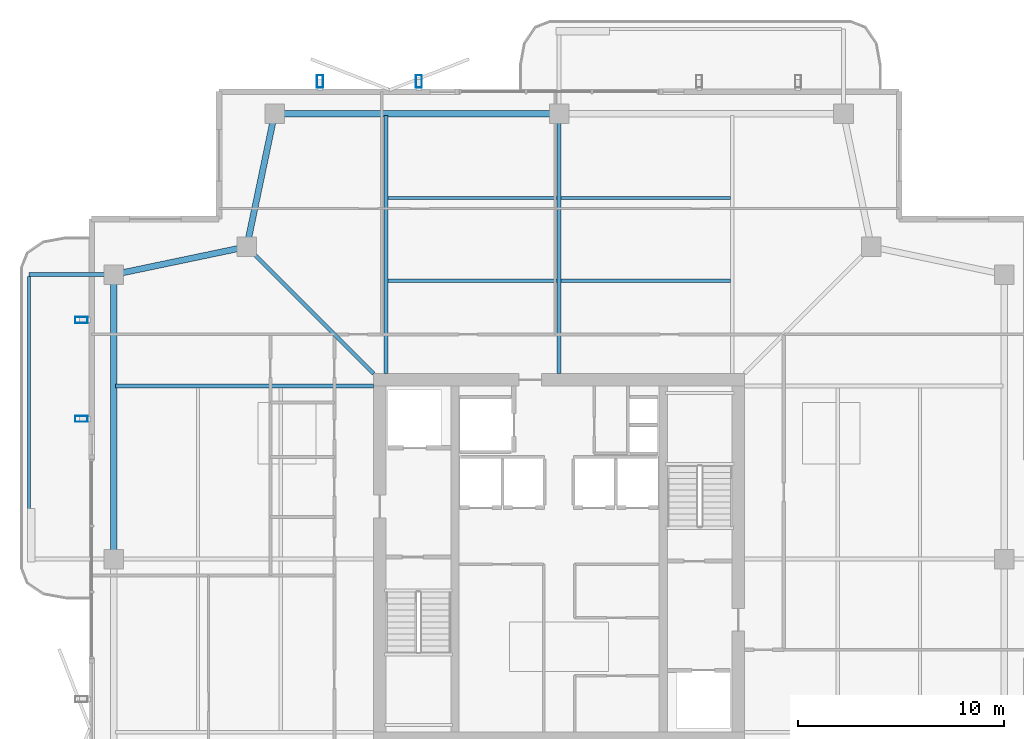
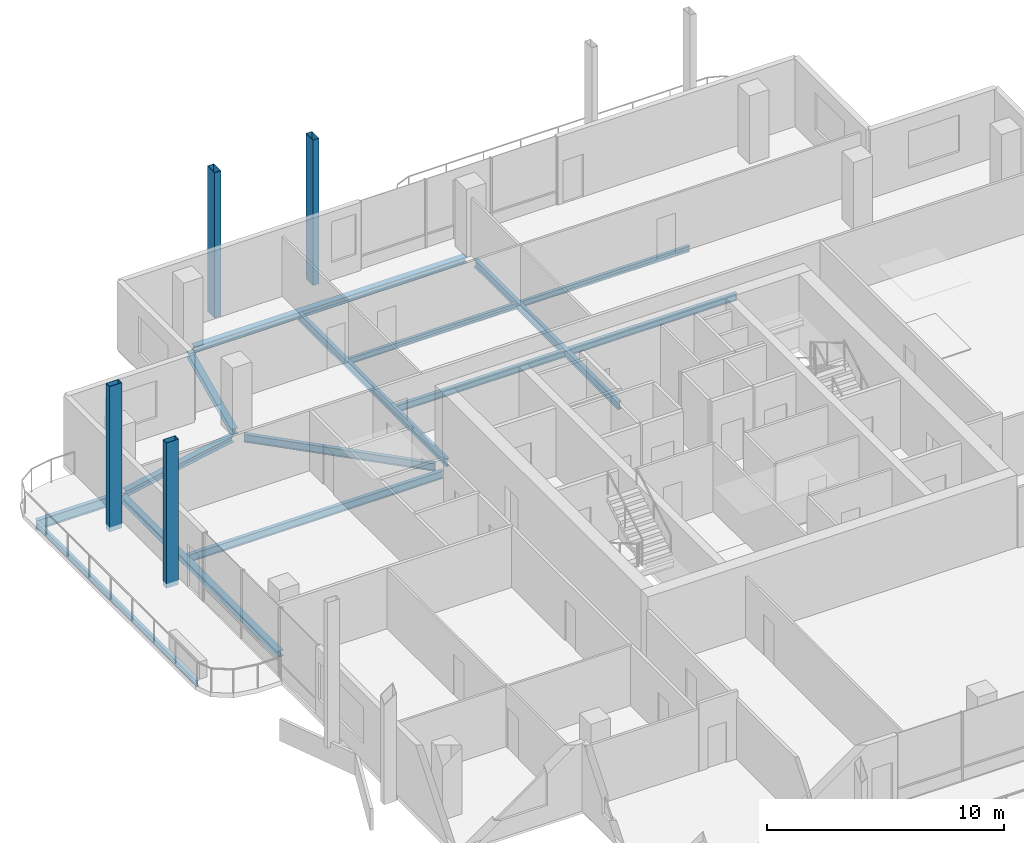
# One storey, part 10 of 20: 14 beams, 4 members.
"""IFC4 building model written with IfcOpenShell, lengths in metres."""

import ifcopenshell
import ifcopenshell.guid

model = None  # the IFC model being written
_history = None  # IfcOwnerHistory: only IFC2X3 demands one
_inside = {}  # id of a spatial element -> (the spatial element, [elements in it])
_under = {}  # id of a project, library or spatial element -> (it, [spatial elements below it])
_declared = {}  # id of a project -> (the project, [libraries it declares])
_typed = {}  # id of a type object -> (the type object, [elements of that type])
_made_of = {}  # id of a material, layer set ... -> (it, [elements and type objects made of it])


def new_model(schema):
    """Start an empty IFC model of exactly this schema.

    Asked for "IFC4X3", IfcOpenShell would pick the latest addendum, in which some entities
    have other attributes; the version numbers below select the first issue.
    IFC2X3 requires an IfcOwnerHistory on every rooted entity: one is made here for all.
    """
    global model, _history
    if schema == "IFC4X3":
        model = ifcopenshell.file(schema_version=(4, 3, 0, 0))
    else:
        model = ifcopenshell.file(schema=schema)
    _inside.clear()
    _under.clear()
    _declared.clear()
    _typed.clear()
    _made_of.clear()
    _history = None
    if model.schema == "IFC2X3":
        org = make("IfcOrganization", Name="unknown")
        user = make(
            "IfcPersonAndOrganization",
            ThePerson=make("IfcPerson", FamilyName="unknown"),
            TheOrganization=org,
        )
        app = make(
            "IfcApplication",
            ApplicationDeveloper=org,
            Version="unknown",
            ApplicationFullName="unknown",
            ApplicationIdentifier="unknown",
        )
        _history = make(
            "IfcOwnerHistory",
            OwningUser=user,
            OwningApplication=app,
            ChangeAction="ADDED",
            CreationDate=0,
        )
    return model


def make(cls, **values):
    """One entity of the class cls with the attributes given. An attribute that is None is left unset."""
    return model.create_entity(
        cls, **{name: value for name, value in values.items() if value is not None}
    )


def rooted(cls, **values):
    """An entity with a GlobalId (a new one), such as an element, a storey or a relation."""
    return make(cls, GlobalId=ifcopenshell.guid.new(), OwnerHistory=_history, **values)


def si_unit(unit_type, name, prefix=None):
    """IfcSIUnit, for example si_unit("LENGTHUNIT", "METRE", prefix="MILLI")."""
    return make("IfcSIUnit", UnitType=unit_type, Prefix=prefix, Name=name)


def assignment(units):
    """IfcUnitAssignment: the units of a project."""
    return None if units is None else make("IfcUnitAssignment", Units=units)


def point(xyz):
    """IfcCartesianPoint."""
    return None if xyz is None else make("IfcCartesianPoint", Coordinates=xyz)


def direction(xyz):
    """IfcDirection."""
    return None if xyz is None else make("IfcDirection", DirectionRatios=xyz)


def frame(location, z_axis=None, x_axis=None):
    """IfcAxis2Placement3D, a coordinate frame: its origin and axes. An axis left out is left unset."""
    return make(
        "IfcAxis2Placement3D",
        Location=point(location),
        Axis=direction(z_axis),
        RefDirection=direction(x_axis),
    )


def frame_2d(location, x_axis=None):
    """IfcAxis2Placement2D, a coordinate frame in the plane: its origin and x axis."""
    return make(
        "IfcAxis2Placement2D", Location=point(location), RefDirection=direction(x_axis)
    )


def origin():
    """The frame at (0, 0, 0) with its axes left unset."""
    return frame((0.0, 0.0, 0.0))


def origin_2d():
    """The frame at (0, 0) in the plane with its x axis left unset."""
    return frame_2d((0.0, 0.0))


def place(relative_to, where):
    """IfcLocalPlacement: puts the frame where relative to a parent placement (None: the world)."""
    return make(
        "IfcLocalPlacement", PlacementRelTo=relative_to, RelativePlacement=where
    )


def context(
    kind, dimensions, precision=None, world=None, true_north=None, identifier=None
):
    """IfcGeometricRepresentationContext, for example the 3D "Model" context."""
    return make(
        "IfcGeometricRepresentationContext",
        ContextIdentifier=identifier,
        ContextType=kind,
        CoordinateSpaceDimension=dimensions,
        Precision=precision,
        WorldCoordinateSystem=world,
        TrueNorth=true_north,
    )


def subcontext(parent, identifier, kind, view, scale=None):
    """IfcGeometricRepresentationSubContext, for example "Body" below "Model"."""
    return make(
        "IfcGeometricRepresentationSubContext",
        ContextIdentifier=identifier,
        ContextType=kind,
        ParentContext=parent,
        TargetScale=scale,
        TargetView=view,
    )


def project(units=None, contexts=None):
    """IfcProject with its units and contexts."""
    return rooted(
        "IfcProject",
        Name="project",
        RepresentationContexts=contexts,
        UnitsInContext=assignment(units),
    )


def spatial(cls, under=None, at=None, **own):
    """A site, building, storey or space (cls), placed at a placement, below another one or the project."""
    s = rooted(cls, ObjectPlacement=at, **own)
    if under is not None:
        _under.setdefault(under.id(), (under, []))[1].append(s)
    return s


def profile(cls, at=None, kind="AREA", **sizes):
    """A parametric profile (cls). Its sizes go by their IFC names, for example OverallWidth=200.0."""
    return make(cls, ProfileType=kind, Position=at, **sizes)


def hollow_rectangle(**sizes):
    """IfcRectangleHollowProfileDef."""
    return profile("IfcRectangleHollowProfileDef", **sizes)


def i_section(**sizes):
    """IfcIShapeProfileDef."""
    return profile("IfcIShapeProfileDef", **sizes)


def extrude(swept, where, along, depth):
    """IfcExtrudedAreaSolid: the profile swept, set in the frame where, extruded along a direction by depth."""
    return make(
        "IfcExtrudedAreaSolid",
        SweptArea=swept,
        Position=where,
        ExtrudedDirection=direction(along),
        Depth=depth,
    )


def shape(context_of_items, identifier, shape_type, items):
    """IfcShapeRepresentation: the items that make up one representation, for example the "Body"."""
    return make(
        "IfcShapeRepresentation",
        ContextOfItems=context_of_items,
        RepresentationIdentifier=identifier,
        RepresentationType=shape_type,
        Items=items,
    )


def material(Name=None, Category=None):
    """IfcMaterial."""
    return make("IfcMaterial", Name=Name, Category=Category)


def material_profile(
    of_material, cross_section, Name=None, Category=None, Priority=None
):
    """IfcMaterialProfile: a cross section and its material."""
    return make(
        "IfcMaterialProfile",
        Name=Name,
        Material=of_material,
        Profile=cross_section,
        Priority=Priority,
        Category=Category,
    )


def profile_set(profiles, Name=None, composite=None):
    """IfcMaterialProfileSet."""
    return make(
        "IfcMaterialProfileSet",
        Name=Name,
        MaterialProfiles=profiles,
        CompositeProfile=composite,
    )


def made_of(thing, what):
    """Note that an element or type object is made of a material, layer set ...; save() writes the relation."""
    if what is not None:
        _made_of.setdefault(what.id(), (what, []))[1].append(thing)
    return thing


def type_object(cls, material=None, **own):
    """A type object (cls), such as IfcWallType, which elements share."""
    return made_of(rooted(cls, **own), material)


def element(
    cls,
    number,
    at=None,
    inside=None,
    cuts=None,
    type_object=None,
    material=None,
    context=None,
    identifier="Body",
    shape_type=None,
    held_by="IfcProductDefinitionShape",
    body=None,
    shapes=None,
    **own,
):
    """One element of the class cls, such as IfcWall. Its Tag is "e" and its number.

    at: its placement. inside: the storey or other place that contains it. cuts: it is an
    opening in that element (IfcRelVoidsElement). A single representation is given by context,
    identifier, shape_type and body (its items); several are given by shapes. held_by: the class
    of the entity that holds the representations. save() writes the other relations.
    """
    e = rooted(cls, Tag="e%d" % number, ObjectPlacement=at, **own)
    if body is not None:
        shapes = [shape(context, identifier, shape_type, body)]
    if shapes is not None:
        e.Representation = make(held_by, Representations=shapes)
    if inside is not None:
        _inside.setdefault(inside.id(), (inside, []))[1].append(e)
    if cuts is not None:
        rooted(
            "IfcRelVoidsElement", RelatingBuildingElement=cuts, RelatedOpeningElement=e
        )
    if type_object is not None:
        _typed.setdefault(type_object.id(), (type_object, []))[1].append(e)
    return made_of(e, material)


def aggregate(whole, parts):
    """IfcRelAggregates: a whole, such as a stair, and the parts it consists of."""
    return rooted("IfcRelAggregates", RelatingObject=whole, RelatedObjects=parts)


def save(model, path):
    """Write the relations noted so far, then the file.

    IfcRelAggregates (storeys below a building ...), IfcRelContainedInSpatialStructure (elements
    in a storey), IfcRelDefinesByType, IfcRelAssociatesMaterial and IfcRelDeclares: one each for
    every whole, place, type object, material and project.
    """
    for whole, parts in _under.values():
        aggregate(whole, parts)
    for where, things in _inside.values():
        rooted(
            "IfcRelContainedInSpatialStructure",
            RelatedElements=things,
            RelatingStructure=where,
        )
    for kind, things in _typed.values():
        rooted("IfcRelDefinesByType", RelatedObjects=things, RelatingType=kind)
    for what, things in _made_of.values():
        rooted("IfcRelAssociatesMaterial", RelatedObjects=things, RelatingMaterial=what)
    for by, libraries in _declared.values():
        rooted("IfcRelDeclares", RelatingContext=by, RelatedDefinitions=libraries)
    model.write(path)


model = new_model("IFC4")

# Units and contexts
model_context = context("Model", 3, precision=1e-05, world=origin(), true_north=direction((0.0, 1.0)))
body_context = subcontext(model_context, "Body", "Model", "MODEL_VIEW")
ifc_project = project(units=[si_unit("LENGTHUNIT", "METRE"), si_unit("AREAUNIT", "SQUARE_METRE"), si_unit("VOLUMEUNIT", "CUBIC_METRE"), si_unit("PLANEANGLEUNIT", "RADIAN"), si_unit("MASSUNIT", "GRAM", prefix="KILO")], contexts=[model_context])

# Site, building, storey
site_placement = place(None, origin())
site = spatial("IfcSite", under=ifc_project, at=site_placement, CompositionType="ELEMENT")
building_placement = place(site_placement, origin())
building = spatial("IfcBuilding", under=site, at=building_placement, Name="Belovzor Exchange Tower", CompositionType="ELEMENT")
storey_placement = place(building_placement, frame((0.0, 0.0, 314.25)))
storey = spatial("IfcBuildingStorey", under=building, at=storey_placement, Name="L78", CompositionType="ELEMENT", Elevation=314.25)

# Beams
ifc_material_1 = material(Name="Steel S355", Category="steel")
ifc_material_profile_1 = material_profile(ifc_material_1, i_section(OverallWidth=0.199951171875, OverallDepth=0.5, WebThickness=0.01025390625, FlangeThickness=0.01611328125, at=origin_2d()))
ifc_profile_set_1 = profile_set([ifc_material_profile_1], Name="Steel S355")
beam_type_1 = type_object("IfcBeamType", Name="Planted Balcony Cantilever Beam IPE 500", PredefinedType="BEAM", material=ifc_profile_set_1)
beam_1_placement = place(storey_placement, frame((6.93896484375, 42.60009765625, -0.489990234375), z_axis=(-1.0, 0.0, 0.0), x_axis=(0.0, -1.0, 0.0)))
element("IfcBeam", 1, at=beam_1_placement, inside=storey, type_object=beam_type_1, Name="BC-500 Planted Balcony Cantilever Beam IPE 500", PredefinedType="BEAM", context=body_context, shape_type="SweptSolid", body=[
    extrude(i_section(OverallWidth=0.199951171875, OverallDepth=0.5, WebThickness=0.01025390625, FlangeThickness=0.01611328125, at=origin_2d()), origin(), (0.0, 0.0, 1.0), 3.849853515625),
])
ifc_material_2 = material(Name="Steel S355", Category="steel")
ifc_material_profile_2 = material_profile(ifc_material_2, i_section(OverallWidth=0.14990234375, OverallDepth=0.300048828125, WebThickness=0.007080078125, FlangeThickness=0.0107421875, at=origin_2d()))
ifc_profile_set_2 = profile_set([ifc_material_profile_2], Name="Steel S355")
beam_type_2 = type_object("IfcBeamType", Name="Planted Balcony Fascia Edge Beam IPE 300", PredefinedType="BEAM", material=ifc_profile_set_2)
beam_2_placement = place(storey_placement, frame((3.089111328125, 42.5, -0.389892578125), z_axis=(0.0, -1.0, 0.0), x_axis=(1.0, 0.0, 0.0)))
element("IfcBeam", 2, at=beam_2_placement, inside=storey, type_object=beam_type_2, Name="BC-300 Planted Balcony Fascia Edge Beam IPE 300", PredefinedType="BEAM", context=body_context, shape_type="SweptSolid", body=[
    extrude(i_section(OverallWidth=0.14990234375, OverallDepth=0.300048828125, WebThickness=0.007080078125, FlangeThickness=0.0107421875, at=origin_2d()), origin(), (0.0, 0.0, 1.0), 13.60009765625),
])
ifc_material_3 = material(Name="Steel S355", Category="steel")
ifc_material_profile_3 = material_profile(ifc_material_3, i_section(OverallWidth=0.169921875, OverallDepth=0.360107421875, WebThickness=0.008056640625, FlangeThickness=0.0126953125, at=origin_2d()))
ifc_profile_set_3 = profile_set([ifc_material_profile_3], Name="Steel S355")
beam_type_3 = type_object("IfcBeamType", Name="Secondary Infill Floor Joist IPE 360", PredefinedType="BEAM", material=ifc_profile_set_3)
beam_3_placement = place(storey_placement, frame((20.489990234375, 42.30908203125, -0.419921875), z_axis=(1.0, 0.0, 0.0), x_axis=(0.0, 1.0, 0.0)))
element("IfcBeam", 3, at=beam_3_placement, inside=storey, type_object=beam_type_3, Name="FJ-360 Secondary Infill Floor Joist IPE 360", PredefinedType="BEAM", context=body_context, shape_type="SweptSolid", body=[
    extrude(i_section(OverallWidth=0.169921875, OverallDepth=0.360107421875, WebThickness=0.008056640625, FlangeThickness=0.0126953125, at=origin_2d()), origin(), (0.0, 0.0, 1.0), 8.219970703125),
])
beam_4_placement = place(storey_placement, frame((28.889892578125, 42.30908203125, -0.419921875), z_axis=(1.0, 0.0, 0.0), x_axis=(0.0, 1.0, 0.0)))
element("IfcBeam", 4, at=beam_4_placement, inside=storey, type_object=beam_type_3, Name="FJ-360 Secondary Infill Floor Joist IPE 360", PredefinedType="BEAM", context=body_context, shape_type="SweptSolid", body=[
    extrude(i_section(OverallWidth=0.169921875, OverallDepth=0.360107421875, WebThickness=0.008056640625, FlangeThickness=0.0126953125, at=origin_2d()), origin(), (0.0, 0.0, 1.0), 8.22021484375),
])
ifc_material_4 = material(Name="Steel S355", Category="steel")
ifc_material_profile_4 = material_profile(ifc_material_4, i_section(OverallWidth=0.14990234375, OverallDepth=0.300048828125, WebThickness=0.007080078125, FlangeThickness=0.0107421875, at=origin_2d()))
ifc_profile_set_4 = profile_set([ifc_material_profile_4], Name="Steel S355")
beam_type_4 = type_object("IfcBeamType", Name="Secondary Trim Floor Joist IPE 300", PredefinedType="BEAM", material=ifc_profile_set_4)
beam_5_placement = place(storey_placement, frame((20.489990234375, 46.31689453125, -0.389892578125), z_axis=(1.0, 0.0, 0.0), x_axis=(0.0, 1.0, 0.0)))
element("IfcBeam", 5, at=beam_5_placement, inside=storey, type_object=beam_type_4, Name="FJ-300 Secondary Trim Floor Joist IPE 300", PredefinedType="BEAM", context=body_context, shape_type="SweptSolid", body=[
    extrude(i_section(OverallWidth=0.14990234375, OverallDepth=0.300048828125, WebThickness=0.007080078125, FlangeThickness=0.0107421875, at=origin_2d()), origin(), (0.0, 0.0, 1.0), 8.219970703125),
])
beam_6_placement = place(storey_placement, frame((28.889892578125, 46.31689453125, -0.389892578125), z_axis=(1.0, 0.0, 0.0), x_axis=(0.0, 1.0, 0.0)))
element("IfcBeam", 6, at=beam_6_placement, inside=storey, type_object=beam_type_4, Name="FJ-300 Secondary Trim Floor Joist IPE 300", PredefinedType="BEAM", context=body_context, shape_type="SweptSolid", body=[
    extrude(i_section(OverallWidth=0.14990234375, OverallDepth=0.300048828125, WebThickness=0.007080078125, FlangeThickness=0.0107421875, at=origin_2d()), origin(), (0.0, 0.0, 1.0), 8.22021484375),
])

# Members
ifc_material_5 = material(Name="Extruded Architectural Terracotta on Steel S355 Carrier", Category="masonry")
ifc_material_profile_5 = material_profile(ifc_material_5, hollow_rectangle(XDim=0.300048828125, YDim=0.60009765625, WallThickness=0.01611328125, at=origin_2d()))
ifc_profile_set_5 = profile_set([ifc_material_profile_5], Name="Extruded Architectural Terracotta on Steel S355 Carrier")
member_type = type_object("IfcMemberType", Name="Upper Crown Terracotta Fin Assembly 550", PredefinedType="USERDEFINED", material=ifc_profile_set_5)
for number, where, z_axis, x_axis, name in (
    (7, (17.199951171875, 51.97509765625, -0.239990234375), (0.0, 0.0, 1.0), (1.0, 0.0, 0.0), "FIN-TC055 Terracotta Facade Fin L78 N1"),
    (8, (22.0, 51.97509765625, -0.239990234375), (0.0, 0.0, 1.0), (1.0, 0.0, 0.0), "FIN-TC055 Terracotta Facade Fin L78 N2"),
    (9, (5.625, 35.60009765625, -0.239990234375), (0.0, 0.0, 1.0), (0.0, 1.0, 0.0), "FIN-TC055 Terracotta Facade Fin L78 W3"),
    (10, (5.625, 40.39990234375, -0.239990234375), (0.0, 0.0, 1.0), (0.0, 1.0, 0.0), "FIN-TC055 Terracotta Facade Fin L78 W4"),
):
    element("IfcMember", number, at=place(storey_placement, frame(where, z_axis=z_axis, x_axis=x_axis)), inside=storey, type_object=member_type, Name=name, ObjectType="FIN", PredefinedType="USERDEFINED", context=body_context, shape_type="SweptSolid", body=[
        extrude(hollow_rectangle(XDim=0.300048828125, YDim=0.60009765625, WallThickness=0.01611328125, at=origin_2d()), origin(), (0.0, 0.0, 1.0), 7.5),
    ])

# Beams
ifc_material_6 = material(Name="Steel S355", Category="steel")
ifc_material_profile_6 = material_profile(ifc_material_6, i_section(OverallWidth=0.179931640625, OverallDepth=0.39990234375, WebThickness=0.008544921875, FlangeThickness=0.013427734375, at=origin_2d()))
ifc_profile_set_6 = profile_set([ifc_material_profile_6], Name="Steel S355")
beam_type_5 = type_object("IfcBeamType", Name="Zone 5-6 Radial Composite Floor Beam IPE 400", PredefinedType="BEAM", material=ifc_profile_set_6)
beam_7_placement = place(storey_placement, frame((20.39990234375, 37.800048828125, -0.43994140625), z_axis=(0.0, 1.0, 0.0), x_axis=(-1.0, 0.0, 0.0)))
element("IfcBeam", 11, at=beam_7_placement, inside=storey, type_object=beam_type_5, Name="FB-400 Zone 5-6 Radial Composite Floor Beam IPE 400", PredefinedType="BEAM", context=body_context, shape_type="SweptSolid", body=[
    extrude(i_section(OverallWidth=0.179931640625, OverallDepth=0.39990234375, WebThickness=0.008544921875, FlangeThickness=0.013427734375, at=origin_2d()), origin(), (0.0, 0.0, 1.0), 12.52490234375),
])
beam_8_placement = place(storey_placement, frame((28.800048828125, 37.800048828125, -0.43994140625), z_axis=(0.0, 1.0, 0.0), x_axis=(-1.0, 0.0, 0.0)))
element("IfcBeam", 12, at=beam_8_placement, inside=storey, type_object=beam_type_5, Name="FB-400 Zone 5-6 Radial Composite Floor Beam IPE 400", PredefinedType="BEAM", context=body_context, shape_type="SweptSolid", body=[
    extrude(i_section(OverallWidth=0.179931640625, OverallDepth=0.39990234375, WebThickness=0.008544921875, FlangeThickness=0.013427734375, at=origin_2d()), origin(), (0.0, 0.0, 1.0), 12.181884765625),
])
beam_9_placement = place(storey_placement, frame((19.800048828125, 37.199951171875, -0.43994140625), z_axis=(-1.0, 0.0, 0.0), x_axis=(0.0, -1.0, 0.0)))
element("IfcBeam", 13, at=beam_9_placement, inside=storey, type_object=beam_type_5, Name="FB-400 Zone 5-6 Radial Composite Floor Beam IPE 400", PredefinedType="BEAM", context=body_context, shape_type="SweptSolid", body=[
    extrude(i_section(OverallWidth=0.179931640625, OverallDepth=0.39990234375, WebThickness=0.008544921875, FlangeThickness=0.013427734375, at=origin_2d()), origin(), (0.0, 0.0, 1.0), 12.525146484375),
])
beam_10_placement = place(storey_placement, frame((19.800048828125, 37.800048828125, -0.43994140625), z_axis=(-0.707062982569, 0.707150577091, 0.0), x_axis=(-0.707150577091, -0.707062982569, 0.0)))
element("IfcBeam", 14, at=beam_10_placement, inside=storey, type_object=beam_type_5, Name="FB-400 Zone 5-6 Radial Composite Floor Beam IPE 400", PredefinedType="BEAM", context=body_context, shape_type="SweptSolid", body=[
    extrude(i_section(OverallWidth=0.179931640625, OverallDepth=0.39990234375, WebThickness=0.008544921875, FlangeThickness=0.013427734375, at=origin_2d()), origin(), (0.0, 0.0, 1.0), 8.361572265625),
])
ifc_material_7 = material(Name="Steel S355", Category="steel")
ifc_material_profile_7 = material_profile(ifc_material_7, i_section(OverallWidth=0.300048828125, OverallDepth=0.300048828125, WebThickness=0.008544921875, FlangeThickness=0.013916015625, at=origin_2d()))
ifc_profile_set_7 = profile_set([ifc_material_profile_7], Name="Steel S355")
beam_type_6 = type_object("IfcBeamType", Name="Zone 6 Primary Girder HEA 300", PredefinedType="BEAM", material=ifc_profile_set_7)
beam_11_placement = place(storey_placement, frame((28.5390625, 50.39990234375, -0.389892578125), z_axis=(-1.0, 0.0, 0.0), x_axis=(0.0, -1.0, 0.0)))
element("IfcBeam", 15, at=beam_11_placement, inside=storey, type_object=beam_type_6, Name="FG-Z6 Zone 6 Primary Girder HEA 300", PredefinedType="BEAM", context=body_context, shape_type="SweptSolid", body=[
    extrude(i_section(OverallWidth=0.300048828125, OverallDepth=0.300048828125, WebThickness=0.008544921875, FlangeThickness=0.013916015625, at=origin_2d()), origin(), (0.0, 0.0, 1.0), 13.278076171875),
])
for number, where, z_axis, x_axis, name in (
    (16, (14.946044921875, 50.14404296875, -0.389892578125), (-0.204722380619, -0.978820078908, 0.0), (0.978820078908, -0.204722380619, 0.0), "FG-Z6 Zone 6 Primary Girder HEA 300"),
    (17, (13.39404296875, 43.89599609375, -0.389892578125), (-0.978820078908, -0.204722380619, 0.0), (0.204722380619, -0.978820078908, 0.0), "FG-Z6 Zone 6 Primary Girder HEA 300"),
):
    element("IfcBeam", number, at=place(storey_placement, frame(where, z_axis=z_axis, x_axis=x_axis)), inside=storey, type_object=beam_type_6, Name=name, PredefinedType="BEAM", context=body_context, shape_type="SweptSolid", body=[
        extrude(i_section(OverallWidth=0.300048828125, OverallDepth=0.300048828125, WebThickness=0.008544921875, FlangeThickness=0.013916015625, at=origin_2d()), origin(), (0.0, 0.0, 1.0), 6.06640625),
    ])
beam_12_placement = place(storey_placement, frame((7.199951171875, 42.339111328125, -0.389892578125), z_axis=(0.0, -1.0, 0.0), x_axis=(1.0, 0.0, 0.0)))
element("IfcBeam", 18, at=beam_12_placement, inside=storey, type_object=beam_type_6, Name="FG-Z6 Zone 6 Primary Girder HEA 300", PredefinedType="BEAM", context=body_context, shape_type="SweptSolid", body=[
    extrude(i_section(OverallWidth=0.300048828125, OverallDepth=0.300048828125, WebThickness=0.008544921875, FlangeThickness=0.013916015625, at=origin_2d()), origin(), (0.0, 0.0, 1.0), 13.278076171875),
])

save(model, "model.ifc")
